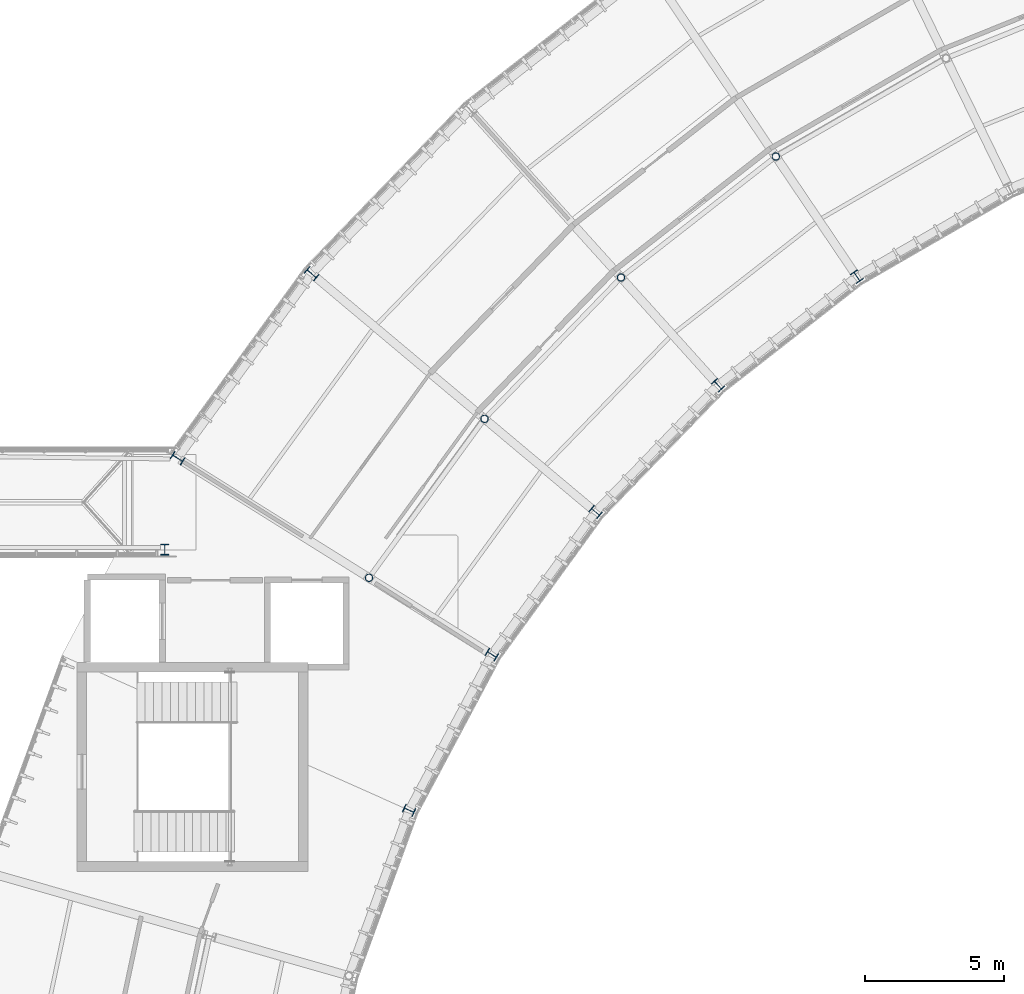
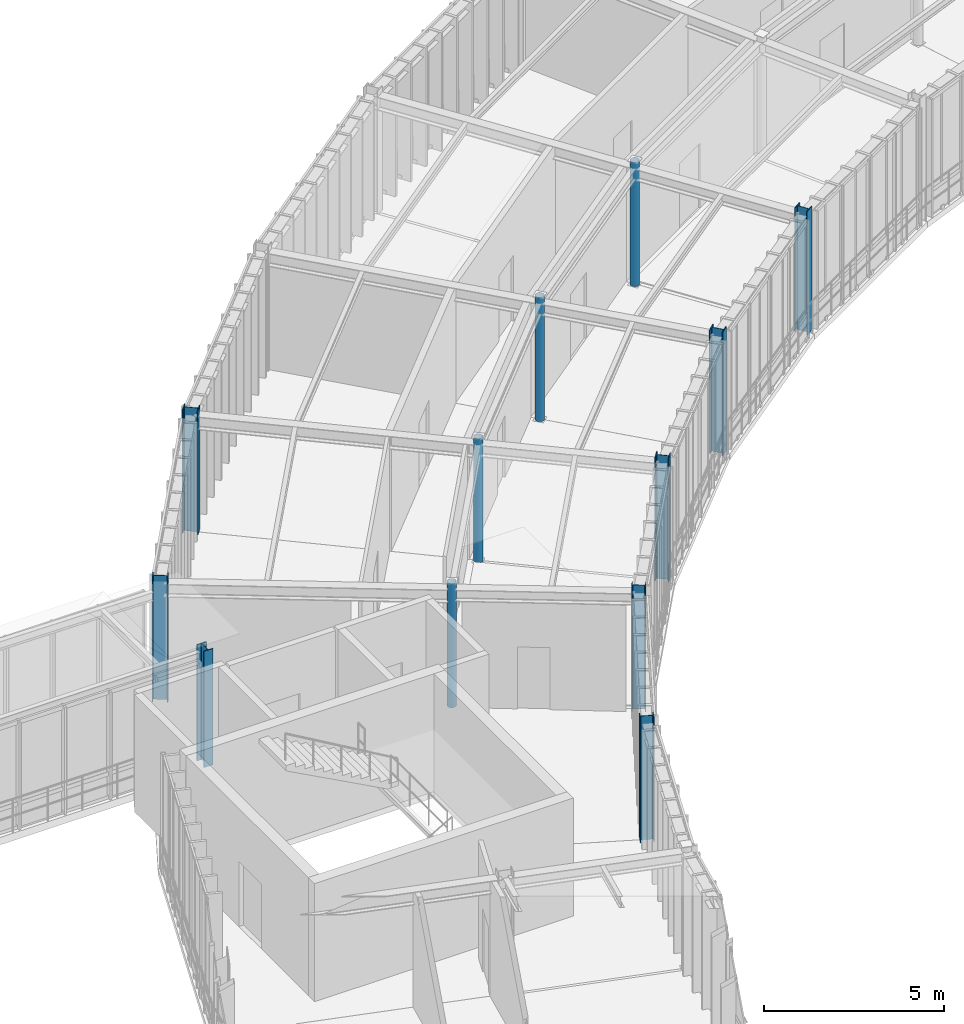
# One storey, part 5 of 52: 12 columns.
"""IFC4 building model written with IfcOpenShell, lengths in metres."""

from ifc_helpers import new_model, si_unit, direction, frame, origin, origin_2d, place, context, subcontext, project, spatial, hollow_circle, i_section, extrude, material, material_profile, profile_set, type_object, element, save


model = new_model("IFC4")

# Units and contexts
model_context = context("Model", 3, precision=1e-05, world=origin(), true_north=direction((0.0, 1.0)))
body_context = subcontext(model_context, "Body", "Model", "MODEL_VIEW")
ifc_project = project(units=[si_unit("LENGTHUNIT", "METRE"), si_unit("AREAUNIT", "SQUARE_METRE"), si_unit("VOLUMEUNIT", "CUBIC_METRE"), si_unit("PLANEANGLEUNIT", "RADIAN"), si_unit("MASSUNIT", "GRAM", prefix="KILO"), si_unit("THERMODYNAMICTEMPERATUREUNIT", "KELVIN"), si_unit("POWERUNIT", "WATT")], contexts=[model_context])

# Site, building, storey
site_placement = place(None, origin())
site = spatial("IfcSite", under=ifc_project, at=site_placement, CompositionType="ELEMENT")
building_placement = place(site_placement, origin())
building = spatial("IfcBuilding", under=site, at=building_placement, Name="Solvatero Civic Police Headquarters", CompositionType="ELEMENT")
storey_placement = place(building_placement, frame((0.0, 0.0, 13.5)))
storey = spatial("IfcBuildingStorey", under=building, at=storey_placement, Name="L03", CompositionType="ELEMENT", Elevation=13.5)

# Columns
ifc_material = material(Name="Steel S355", Category="steel")
ifc_material_profile_1 = material_profile(ifc_material, hollow_circle(Radius=0.136474609375, WallThickness=0.012451171875, at=origin_2d()), Name="CHS 273.0x12.5")
ifc_profile_set_1 = profile_set([ifc_material_profile_1], Name="Steel S355")
column_type_1 = type_object("IfcColumnType", Name="COL-ST-CHS273", PredefinedType="COLUMN", material=ifc_profile_set_1)
for number, where, z_axis, x_axis, name in (
    (1, (65.73291015625, 67.90771484375, 0.0), (0.0, 0.0, 1.0), (0.829037572555, 0.559192903471, 0.0), "Column ARC-S05-MID L03"),
    (2, (60.17529296875, 63.56591796875, 0.0), (0.0, 0.0, 1.0), (0.743144825477, 0.669130606359, 0.0), "Column ARC-S06-MID L03"),
    (3, (55.276611328125, 58.492919921875, 0.0), (0.0, 0.0, 1.0), (0.642787609687, 0.766044443119, 0.0), "Column ARC-S07-MID L03"),
    (4, (51.131103515625, 52.787353515625, 0.0), (0.0, 0.0, 1.0), (0.529919264233, 0.848048096156, 0.0), "Column ARC-S08-MID L03"),
):
    element("IfcColumn", number, at=place(storey_placement, frame(where, z_axis=z_axis, x_axis=x_axis)), inside=storey, type_object=column_type_1, Name=name, PredefinedType="COLUMN", context=body_context, shape_type="SweptSolid", body=[
        extrude(hollow_circle(Radius=0.136474609375, WallThickness=0.012451171875, at=origin_2d()), origin(), (0.0, 0.0, 1.0), 4.199951171875),
    ])
ifc_material_profile_2 = material_profile(ifc_material, i_section(OverallWidth=0.300048828125, OverallDepth=0.39990234375, WebThickness=0.013427734375, FlangeThickness=0.02392578125, FilletRadius=0.027099609375, at=origin_2d()), Name="HEB 400")
ifc_profile_set_2 = profile_set([ifc_material_profile_2], Name="Steel S355")
column_type_2 = type_object("IfcColumnType", Name="COL-ST-HEB400", PredefinedType="COLUMN", material=ifc_profile_set_2)
for number, where, z_axis, x_axis, name in (
    (5, (68.640625, 63.596923828125, 0.0), (0.0, 0.0, 1.0), (0.829037572555, 0.559192903471, 0.0), "Column ARC-S05-IN L03"),
    (6, (63.65478515625, 59.70166015625, 0.0), (0.0, 0.0, 1.0), (0.743144825477, 0.669130606359, 0.0), "Column ARC-S06-IN L03"),
    (7, (59.260009765625, 55.150390625, 0.0), (0.0, 0.0, 1.0), (0.642787609687, 0.766044443119, 0.0), "Column ARC-S07-IN L03"),
    (8, (55.541015625, 50.03173828125, 0.0), (0.0, 0.0, 1.0), (0.529919264233, 0.848048096156, 0.0), "Column ARC-S08-IN L03"),
    (9, (52.57080078125, 44.445556640625, 0.0), (0.0, 0.0, 1.0), (0.406736643076, 0.913545457643, 0.0), "Column ARC-S09-IN L03"),
):
    element("IfcColumn", number, at=place(storey_placement, frame(where, z_axis=z_axis, x_axis=x_axis)), inside=storey, type_object=column_type_2, Name=name, PredefinedType="COLUMN", context=body_context, shape_type="SweptSolid", body=[
        extrude(i_section(OverallWidth=0.300048828125, OverallDepth=0.39990234375, WebThickness=0.013427734375, FlangeThickness=0.02392578125, FilletRadius=0.027099609375, at=origin_2d()), origin(), (0.0, 0.0, 1.0), 4.199951171875),
    ])
column_placement = place(storey_placement, frame((43.800048828125, 53.800048828125, 0.0), z_axis=(0.0, 0.0, 1.0), x_axis=(1.0, 0.0, 0.0)))
element("IfcColumn", 10, at=column_placement, inside=storey, type_object=column_type_2, Name="Column SB1-E-S L03", PredefinedType="COLUMN", context=body_context, shape_type="SweptSolid", body=[
    extrude(i_section(OverallWidth=0.300048828125, OverallDepth=0.39990234375, WebThickness=0.013427734375, FlangeThickness=0.02392578125, FilletRadius=0.027099609375, at=origin_2d()), origin(), (0.0, 0.0, 1.0), 3.93994140625),
])
ifc_material_profile_3 = material_profile(ifc_material, i_section(OverallWidth=0.300048828125, OverallDepth=0.449951171875, WebThickness=0.013916015625, FlangeThickness=0.02587890625, FilletRadius=0.027099609375, at=origin_2d()), Name="HEB 450")
ifc_profile_set_3 = profile_set([ifc_material_profile_3], Name="Steel S355")
column_type_3 = type_object("IfcColumnType", Name="COL-ST-HEB450", PredefinedType="COLUMN", material=ifc_profile_set_3)
for number, where, z_axis, x_axis, name in (
    (11, (49.071533203125, 63.699462890625, 0.0), (0.0, 0.0, 1.0), (0.642787609687, 0.766044443119, 0.0), "Column ARC-S07-OUT L03"),
    (12, (44.261962890625, 57.079833984375, 0.0), (0.0, 0.0, 1.0), (0.529919264233, 0.848048096156, 0.0), "Column ARC-S08-OUT L03"),
):
    element("IfcColumn", number, at=place(storey_placement, frame(where, z_axis=z_axis, x_axis=x_axis)), inside=storey, type_object=column_type_3, Name=name, PredefinedType="COLUMN", context=body_context, shape_type="SweptSolid", body=[
        extrude(i_section(OverallWidth=0.300048828125, OverallDepth=0.449951171875, WebThickness=0.013916015625, FlangeThickness=0.02587890625, FilletRadius=0.027099609375, at=origin_2d()), origin(), (0.0, 0.0, 1.0), 4.199951171875),
    ])

save(model, "model.ifc")
